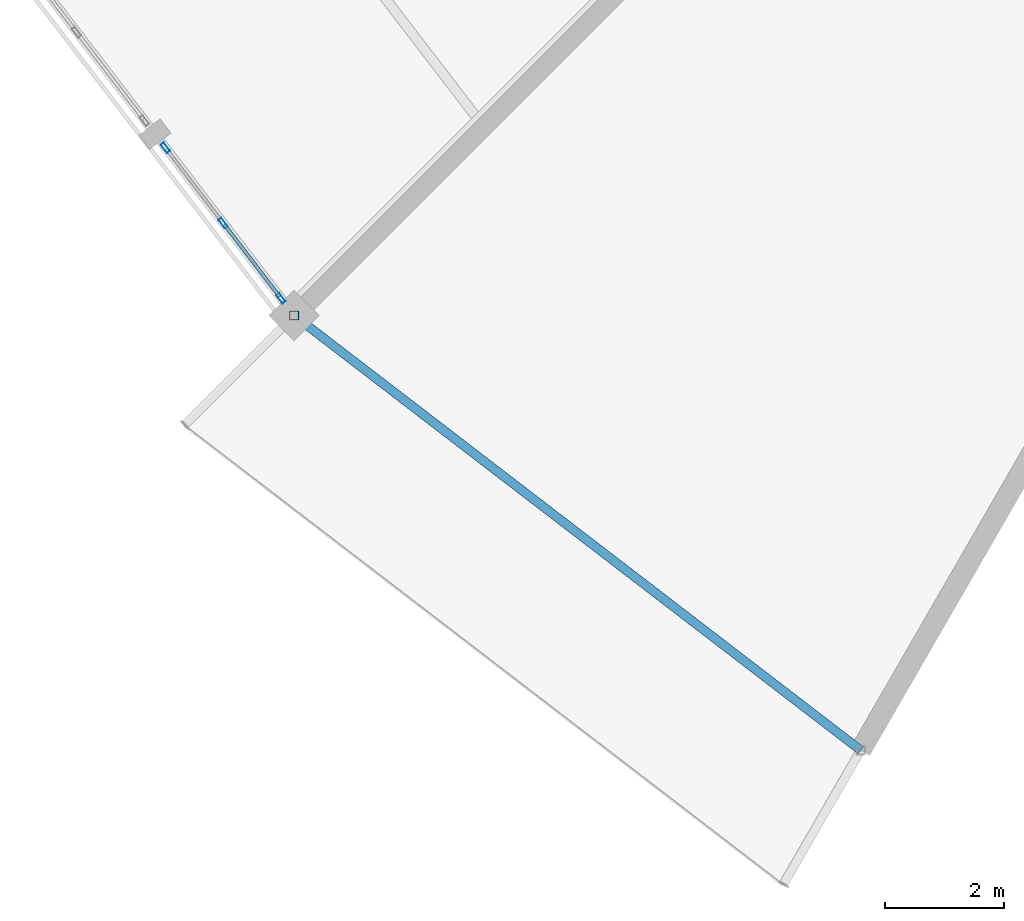
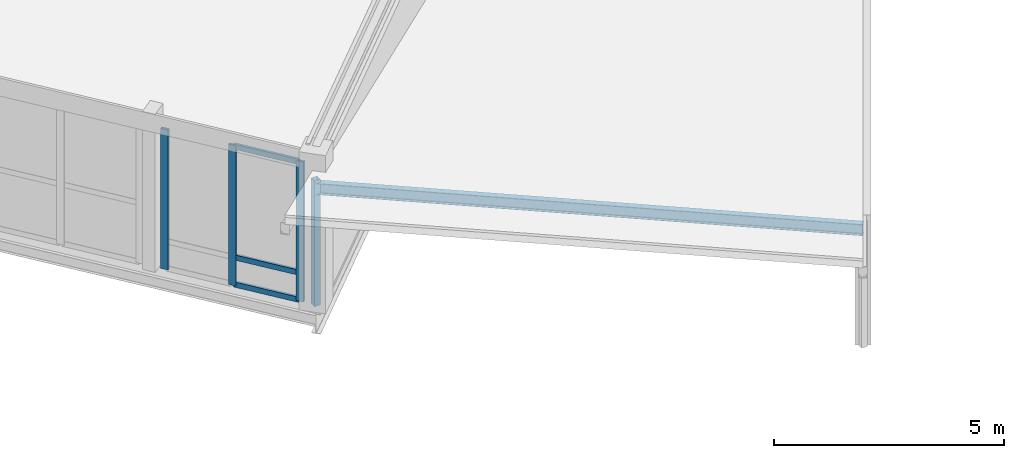
# One storey, part 33 of 200: 7 members, 1 beam, 1 element without a shape of its own.
"""IFC4 building model written with IfcOpenShell, lengths in metres."""

from ifc_helpers import new_model, si_unit, direction, frame, origin, origin_2d, place, context, subcontext, project, spatial, hollow_rectangle, i_section, extrude, material, material_profile, profile_set, type_object, element, aggregate, save


model = new_model("IFC4")

# Units and contexts
model_context = context("Model", 3, precision=1e-05, world=origin(), true_north=direction((0.0, 1.0)))
body_context = subcontext(model_context, "Body", "Model", "MODEL_VIEW")
ifc_project = project(units=[si_unit("LENGTHUNIT", "METRE"), si_unit("AREAUNIT", "SQUARE_METRE"), si_unit("VOLUMEUNIT", "CUBIC_METRE"), si_unit("PLANEANGLEUNIT", "RADIAN"), si_unit("MASSUNIT", "GRAM", prefix="KILO")], contexts=[model_context])

# Site, building, storey
site_placement = place(None, origin())
site = spatial("IfcSite", under=ifc_project, at=site_placement, CompositionType="ELEMENT")
building_placement = place(site_placement, origin())
building = spatial("IfcBuilding", under=site, at=building_placement, Name="Vondelvale Polytechnic", CompositionType="ELEMENT")
storey_placement = place(building_placement, frame((0.0, 0.0, 13.800048828125)))
storey = spatial("IfcBuildingStorey", under=building, at=storey_placement, Name="L03", CompositionType="ELEMENT", Elevation=13.800048828125)

# Beam
ifc_material_1 = material(Name="Steel 300PLUS (fy = 300 MPa)", Category="steel")
ifc_material_profile_1 = material_profile(ifc_material_1, i_section(OverallWidth=0.14892578125, OverallDepth=0.298095703125, WebThickness=0.005615234375, FlangeThickness=0.008056640625, FilletRadius=0.011474609375, at=origin_2d()), Name="310UB32.0")
ifc_profile_set_1 = profile_set([ifc_material_profile_1], Name="Steel 300PLUS (fy = 300 MPa)")
beam_type = type_object("IfcBeamType", Name="BM-UB310L", PredefinedType="BEAM", material=ifc_profile_set_1)
beam_placement = place(storey_placement, frame((69.47314453125, 39.47314453125, 3.11083984375), z_axis=(0.793349743808, -0.608766116008, 0.0), x_axis=(0.608766116008, 0.793349743808, 0.0)))
element("IfcBeam", 1, at=beam_placement, inside=storey, type_object=beam_type, Name="L03 RE B-25", PredefinedType="BEAM", context=body_context, shape_type="SweptSolid", body=[
    extrude(i_section(OverallWidth=0.14892578125, OverallDepth=0.298095703125, WebThickness=0.005615234375, FlangeThickness=0.008056640625, FilletRadius=0.011474609375, at=origin_2d()), origin(), (0.0, 0.0, 1.0), 12.00830078125),
])

# Curtain wall, members
ifc_material_2 = material(Name="Glulam GL18 structural Tasmanian oak (fb = 42 MPa)", Category="wood")
curtain_wall_type = type_object("IfcCurtainWallType", Name="CW-RING-OUTER", PredefinedType="NOTDEFINED", material=ifc_material_2)
curtain_wall_placement = place(storey_placement, origin())
curtain_wall = element("IfcCurtainWall", 2, at=curtain_wall_placement, inside=storey, type_object=curtain_wall_type, Name="L03 architectural curtain wall CW-04-309", PredefinedType="NOTDEFINED")
ifc_material_3 = material(Name="Anodised extruded aluminium 6063-T6", Category="aluminium")
ifc_material_profile_2 = material_profile(ifc_material_3, hollow_rectangle(XDim=0.06494140625, YDim=0.179931640625, WallThickness=0.00390625, at=origin_2d()), Name="CW-MUL-180x65")
ifc_profile_set_2 = profile_set([ifc_material_profile_2], Name="Anodised extruded aluminium 6063-T6")
member_type_1 = type_object("IfcMemberType", Name="CW-MUL-65x180", PredefinedType="MULLION", material=ifc_profile_set_2)
member_1_placement = place(storey_placement, frame((67.308837890625, 42.293701171875, 0.0), z_axis=(0.0, 0.0, 1.0), x_axis=(0.793333825656, 0.608786860133, 0.0)))
member_1 = element("IfcMember", 3, at=member_1_placement, type_object=member_type_1, Name="CW-04-309 mullion 1", PredefinedType="MULLION", context=body_context, shape_type="SweptSolid", body=[
    extrude(hollow_rectangle(XDim=0.06494140625, YDim=0.179931640625, WallThickness=0.00390625, at=origin_2d()), origin(), (0.0, 0.0, 1.0), 3.719970703125),
])
member_2_placement = place(storey_placement, frame((68.27978515625, 41.0283203125, 0.0), z_axis=(0.0, 0.0, 1.0), x_axis=(0.793333825656, 0.608786860133, 0.0)))
member_2 = element("IfcMember", 4, at=member_2_placement, type_object=member_type_1, Name="CW-04-309 mullion 2", PredefinedType="MULLION", context=body_context, shape_type="SweptSolid", body=[
    extrude(hollow_rectangle(XDim=0.06494140625, YDim=0.179931640625, WallThickness=0.00390625, at=origin_2d()), origin(), (0.0, 0.0, 1.0), 3.719970703125),
])
member_3_placement = place(storey_placement, frame((69.250732421875, 39.762939453125, 0.0), z_axis=(0.0, 0.0, 1.0), x_axis=(0.793333825656, 0.608786860133, 0.0)))
member_3 = element("IfcMember", 5, at=member_3_placement, type_object=member_type_1, Name="CW-04-309 mullion 3", PredefinedType="MULLION", context=body_context, shape_type="SweptSolid", body=[
    extrude(hollow_rectangle(XDim=0.06494140625, YDim=0.179931640625, WallThickness=0.00390625, at=origin_2d()), origin(), (0.0, 0.0, 1.0), 3.719970703125),
])
ifc_material_profile_3 = material_profile(ifc_material_3, hollow_rectangle(XDim=0.06005859375, YDim=0.139892578125, WallThickness=0.00341796875, at=origin_2d()), Name="CW-TRN-140x60")
ifc_profile_set_3 = profile_set([ifc_material_profile_3], Name="Anodised extruded aluminium 6063-T6")
member_type_2 = type_object("IfcMemberType", Name="CW-TRN-60x140", PredefinedType="USERDEFINED", material=ifc_profile_set_3)
member_4_placement = place(storey_placement, frame((68.299560546875, 41.00244140625, 0.030029296875), z_axis=(0.608746385664, -0.793364883229, 0.0), x_axis=(0.793364883229, 0.608746385664, 0.0)))
member_4 = element("IfcMember", 6, at=member_4_placement, type_object=member_type_2, Name="CW-04-309 transom 2.1", ObjectType="TRANSOM", PredefinedType="USERDEFINED", context=body_context, shape_type="SweptSolid", body=[
    extrude(hollow_rectangle(XDim=0.06005859375, YDim=0.139892578125, WallThickness=0.00341796875, at=origin_2d()), origin(), (0.0, 0.0, 1.0), 1.530029296875),
])
member_5_placement = place(storey_placement, frame((68.299560546875, 41.00244140625, 0.75), z_axis=(0.608746385664, -0.793364883229, 0.0), x_axis=(0.793364883229, 0.608746385664, 0.0)))
member_5 = element("IfcMember", 7, at=member_5_placement, type_object=member_type_2, Name="CW-04-309 transom 2.2", ObjectType="TRANSOM", PredefinedType="USERDEFINED", context=body_context, shape_type="SweptSolid", body=[
    extrude(hollow_rectangle(XDim=0.06005859375, YDim=0.139892578125, WallThickness=0.00341796875, at=origin_2d()), origin(), (0.0, 0.0, 1.0), 1.530029296875),
])
member_6_placement = place(storey_placement, frame((68.299560546875, 41.00244140625, 3.68994140625), z_axis=(0.608746385664, -0.793364883229, 0.0), x_axis=(0.793364883229, 0.608746385664, 0.0)))
member_6 = element("IfcMember", 8, at=member_6_placement, type_object=member_type_2, Name="CW-04-309 transom 2.3", ObjectType="TRANSOM", PredefinedType="USERDEFINED", context=body_context, shape_type="SweptSolid", body=[
    extrude(hollow_rectangle(XDim=0.06005859375, YDim=0.139892578125, WallThickness=0.00341796875, at=origin_2d()), origin(), (0.0, 0.0, 1.0), 1.530029296875),
])
aggregate(curtain_wall, [member_1, member_2, member_3, member_4, member_5, member_6])

# Member
ifc_material_4 = material(Name="Steel C350L0 (fy = 350 MPa)", Category="steel")
ifc_material_profile_4 = material_profile(ifc_material_4, hollow_rectangle(XDim=0.14990234375, YDim=0.14990234375, WallThickness=0.006103515625, at=origin_2d()), Name="150x150x6.0SHS")
ifc_profile_set_4 = profile_set([ifc_material_profile_4], Name="Steel C350L0 (fy = 350 MPa)")
member_type_3 = type_object("IfcMemberType", Name="ROOF TRUSS POST 150SHS", PredefinedType="POST", material=ifc_profile_set_4)
member_7_placement = place(storey_placement, frame((69.47314453125, 39.47314453125, 0.0), z_axis=(0.0, 0.0, 1.0), x_axis=(1.0, 0.0, 0.0)))
element("IfcMember", 9, at=member_7_placement, inside=storey, type_object=member_type_3, Name="Ring outer roof post 15", PredefinedType="POST", context=body_context, shape_type="SweptSolid", body=[
    extrude(hollow_rectangle(XDim=0.14990234375, YDim=0.14990234375, WallThickness=0.006103515625, at=origin_2d()), origin(), (0.0, 0.0, 1.0), 3.33984375),
])

save(model, "model.ifc")
